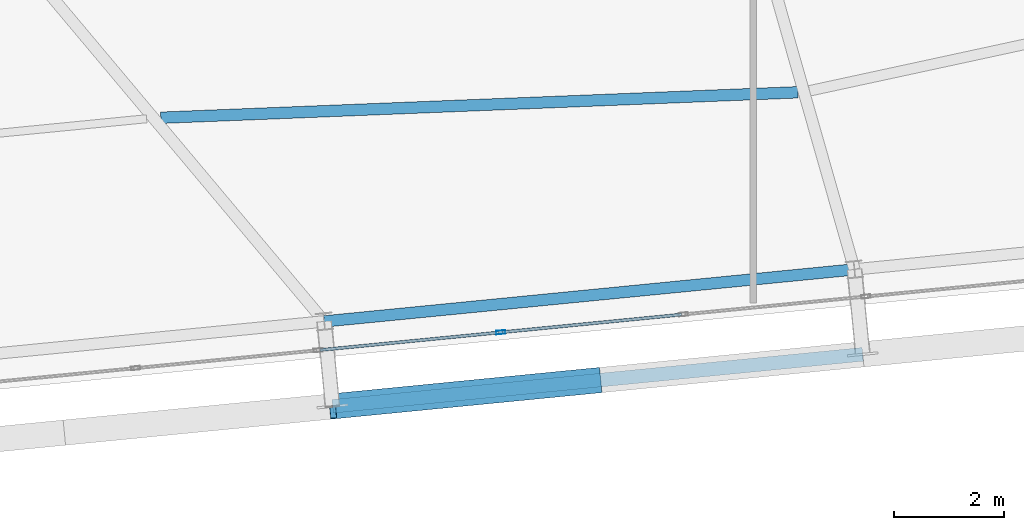
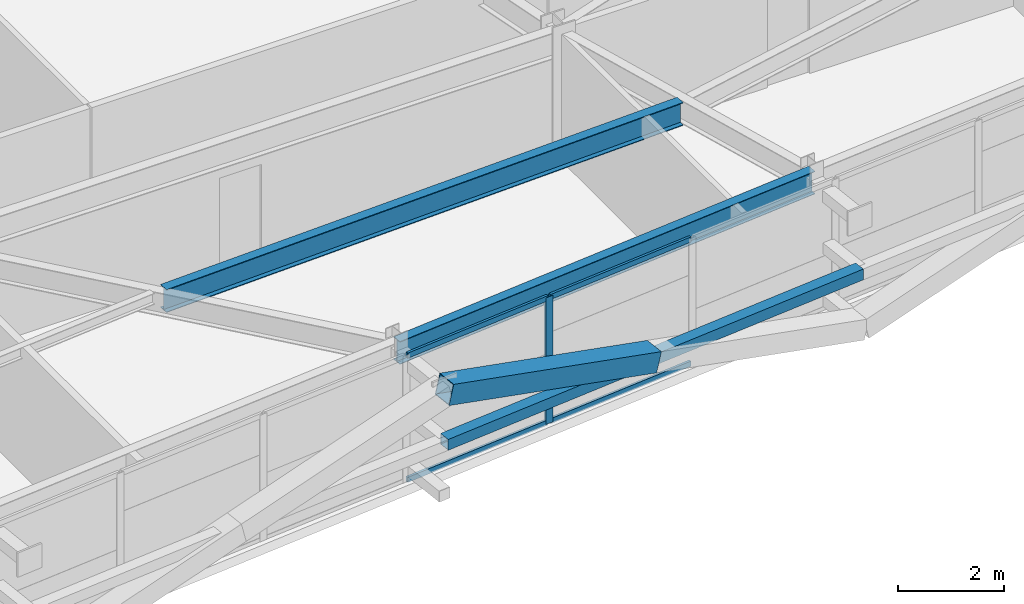
# One storey, part 11 of 53: 7 members, 2 beams, 1 element without a shape of its own.
"""IFC4 building model written with IfcOpenShell, lengths in metres."""

from ifc_helpers import new_model, si_unit, direction, frame, origin, origin_2d, place, context, subcontext, project, spatial, hollow_rectangle, i_section, extrude, source, transform, mapped, material, layer, layer_set, material_profile, profile_set, type_object, element, aggregate, save


model = new_model("IFC4")

# Units and contexts
model_context = context("Model", 3, precision=1e-05, world=origin(), true_north=direction((0.0, 1.0)))
body_context = subcontext(model_context, "Body", "Model", "MODEL_VIEW")
ifc_project = project(units=[si_unit("LENGTHUNIT", "METRE"), si_unit("AREAUNIT", "SQUARE_METRE"), si_unit("VOLUMEUNIT", "CUBIC_METRE"), si_unit("PLANEANGLEUNIT", "RADIAN"), si_unit("MASSUNIT", "GRAM", prefix="KILO")], contexts=[model_context])

# Site, building, storey
site_placement = place(None, origin())
site = spatial("IfcSite", under=ifc_project, at=site_placement, CompositionType="ELEMENT")
building_placement = place(site_placement, origin())
building = spatial("IfcBuilding", under=site, at=building_placement, Name="Taldren Reach Tower", CompositionType="ELEMENT")
storey_placement = place(building_placement, frame((0.0, 0.0, 84.0)))
storey = spatial("IfcBuildingStorey", under=building, at=storey_placement, Name="L25", CompositionType="ELEMENT", Elevation=84.0)

# Beams
ifc_material_1 = material(Name="Steel Gr 350 (350PLUS)", Category="steel")
ifc_material_profile_1 = material_profile(ifc_material_1, i_section(OverallWidth=0.208984375, OverallDepth=0.528076171875, WebThickness=0.009521484375, FlangeThickness=0.01318359375, at=origin_2d()), Name="530UB82.0")
ifc_profile_set_1 = profile_set([ifc_material_profile_1], Name="Steel Gr 350 (350PLUS)")
beam_type_1 = type_object("IfcBeamType", Name="SP-UB530B", PredefinedType="SPANDREL", material=ifc_profile_set_1)
shared_shape_1 = source(origin(), body_context, "Body", "SweptSolid", [
    extrude(i_section(OverallWidth=0.208984375, OverallDepth=0.528076171875, WebThickness=0.009521484375, FlangeThickness=0.01318359375, at=origin_2d()), origin(), (0.0, 0.0, 1.0), 9.679931640625),
])
beam_1_placement = place(storey_placement, frame((34.20166015625, 1.809326171875, 2.666015625), z_axis=(0.995227612658, 0.097580730699, 0.0), x_axis=(-0.097580730699, 0.995227612658, 0.0)))
element("IfcBeam", 1, at=beam_1_placement, inside=storey, type_object=beam_type_1, Name="Perimeter spandrel B2 S3-S4 L25", PredefinedType="SPANDREL", context=body_context, shape_type="MappedRepresentation", body=[
    mapped(shared_shape_1, transform((0.0, 0.0, 0.0), scale=1.0)),
])
ifc_material_profile_2 = material_profile(ifc_material_1, i_section(OverallWidth=0.208984375, OverallDepth=0.532958984375, WebThickness=0.01025390625, FlangeThickness=0.015625, at=origin_2d()), Name="530UB92.4")
ifc_profile_set_2 = profile_set([ifc_material_profile_2], Name="Steel Gr 350 (350PLUS)")
beam_type_2 = type_object("IfcBeamType", Name="BM-UB530A", PredefinedType="BEAM", material=ifc_profile_set_2)
shared_shape_2 = source(origin(), body_context, "Body", "SweptSolid", [
    extrude(i_section(OverallWidth=0.208984375, OverallDepth=0.532958984375, WebThickness=0.01025390625, FlangeThickness=0.015625, at=origin_2d()), origin(), (0.0, 0.0, 1.0), 11.586669921875),
])
beam_2_placement = place(storey_placement, frame((31.23291015625, 5.510009765625, 2.66357421875), z_axis=(0.999202506312, 0.039929329821, 0.0), x_axis=(-0.039929329821, 0.999202506312, 0.0)))
element("IfcBeam", 2, at=beam_2_placement, inside=storey, type_object=beam_type_2, Name="Secondary floor beam B2 J3 L25", PredefinedType="BEAM", context=body_context, shape_type="MappedRepresentation", body=[
    mapped(shared_shape_2, transform((0.0, 0.0, 0.0), scale=1.0)),
])

# Members
ifc_material_2 = material(Name="Steel Gr 450 (C450L0)", Category="steel")
ifc_material_profile_3 = material_profile(ifc_material_2, hollow_rectangle(XDim=0.4599609375, YDim=0.4599609375, WallThickness=0.01611328125, at=origin_2d()), Name="460x460x16.0SHS")
ifc_profile_set_3 = profile_set([ifc_material_profile_3], Name="Steel Gr 450 (C450L0)")
member_type_1 = type_object("IfcMemberType", Name="MB-EXO457", PredefinedType="BRACE", material=ifc_profile_set_3)
shared_shape_3 = source(origin(), body_context, "Body", "SweptSolid", [
    extrude(hollow_rectangle(XDim=0.4599609375, YDim=0.4599609375, WallThickness=0.01611328125, at=origin_2d()), origin(), (0.0, 0.0, 1.0), 4.990234375),
])
member_1_placement = place(storey_placement, frame((39.169921875, 0.739013671875, 1.43505859375), z_axis=(-0.965282554799, -0.094669120301, 0.243448859234), x_axis=(0.097605711627, -0.995225162995, 0.0)))
element("IfcMember", 3, at=member_1_placement, inside=storey, type_object=member_type_1, Name="Exoskeleton Diagrid Brace B2-S3 L25", PredefinedType="BRACE", context=body_context, shape_type="MappedRepresentation", body=[
    mapped(shared_shape_3, transform((0.0, 0.0, 0.0), scale=1.0)),
])
ifc_material_3 = material(Name="Steel Gr 350 (C350L0)", Category="steel")
ifc_material_profile_4 = material_profile(ifc_material_3, hollow_rectangle(XDim=0.25, YDim=0.25, WallThickness=0.010009765625, at=origin_2d()), Name="250x250x10.0SHS")
ifc_profile_set_4 = profile_set([ifc_material_profile_4], Name="Steel Gr 350 (C350L0)")
member_type_2 = type_object("IfcMemberType", Name="MB-POST250", PredefinedType="POST", material=ifc_profile_set_4)
shared_shape_4 = source(origin(), body_context, "Body", "SweptSolid", [
    extrude(hollow_rectangle(XDim=0.25, YDim=0.25, WallThickness=0.010009765625, at=origin_2d()), origin(), (0.0, 0.0, 1.0), 9.679931640625),
])
member_2_placement = place(storey_placement, frame((34.35302734375, 0.2666015625, 1.43505859375), z_axis=(0.995225162995, 0.097605711627, 0.0), x_axis=(-0.097605711627, 0.995225162995, 0.0)))
element("IfcMember", 4, at=member_2_placement, inside=storey, type_object=member_type_2, Name="Exoskeleton mid-height ring chord B2-S3 L25", PredefinedType="POST", context=body_context, shape_type="MappedRepresentation", body=[
    mapped(shared_shape_4, transform((0.0, 0.0, 0.0), scale=1.0)),
])

# Curtain wall, members
ifc_material_4 = material(Name="Aluminium and Low-E Glass Unitised System", Category="aluminium")
ifc_layer = layer(ifc_material_4, 0.159912109375)
ifc_layer_set = layer_set([ifc_layer], Name="Aluminium and Low-E Glass Unitised System")
curtain_wall_type = type_object("IfcCurtainWallType", Name="CW-SYS-3", PredefinedType="NOTDEFINED", material=ifc_layer_set)
curtain_wall_placement = place(storey_placement, origin())
curtain_wall = element("IfcCurtainWall", 5, at=curtain_wall_placement, inside=storey, type_object=curtain_wall_type, Name="Unitised curtain wall CW-L25-S", PredefinedType="NOTDEFINED")
ifc_material_5 = material(Name="Anodised Aluminium 6063-T6", Category="aluminium")
ifc_material_profile_5 = material_profile(ifc_material_5, hollow_rectangle(XDim=0.06494140625, YDim=0.1650390625, WallThickness=0.00390625, at=origin_2d()), Name="ALU-165x65x4RHS")
ifc_profile_set_5 = profile_set([ifc_material_profile_5], Name="Anodised Aluminium 6063-T6")
member_type_3 = type_object("IfcMemberType", Name="CW-MUL-165", PredefinedType="MULLION", material=ifc_profile_set_5)
shared_shape_5 = source(origin(), body_context, "Body", "SweptSolid", [
    extrude(hollow_rectangle(XDim=0.06494140625, YDim=0.1650390625, WallThickness=0.00390625, at=origin_2d()), origin(), (0.0, 0.0, 1.0), 2.929931640625),
])
member_3_placement = place(storey_placement, frame((37.40966796875, 1.611328125, 0.0), z_axis=(0.0, 0.0, 1.0), x_axis=(-0.097582999046, 0.995227390247, 0.0)))
member_3 = element("IfcMember", 6, at=member_3_placement, type_object=member_type_3, Name="CW-3 mullion 8", PredefinedType="MULLION", context=body_context, shape_type="MappedRepresentation", body=[
    mapped(shared_shape_5, transform((0.0, 0.0, 0.0), scale=1.0)),
])
ifc_material_profile_6 = material_profile(ifc_material_5, hollow_rectangle(XDim=0.054931640625, YDim=0.1201171875, WallThickness=0.0029296875, at=origin_2d()), Name="ALU-120x55x3RHS")
ifc_profile_set_6 = profile_set([ifc_material_profile_6], Name="Anodised Aluminium 6063-T6")
member_type_4 = type_object("IfcMemberType", Name="CW-TRN-135", PredefinedType="USERDEFINED", material=ifc_profile_set_6)
shared_shape_6 = source(origin(), body_context, "Body", "SweptSolid", [
    extrude(hollow_rectangle(XDim=0.054931640625, YDim=0.1201171875, WallThickness=0.0029296875, at=origin_2d()), origin(), (0.0, 0.0, 1.0), 3.268310546875),
])
member_4_placement = place(storey_placement, frame((34.124755859375, 1.289306640625, 0.027587890625), z_axis=(0.99522980512, 0.097558367146, 0.0), x_axis=(-0.097558367146, 0.99522980512, 0.0)))
member_4 = element("IfcMember", 7, at=member_4_placement, type_object=member_type_4, Name="CW-3 transom 7.1", ObjectType="TRANSOM", PredefinedType="USERDEFINED", context=body_context, shape_type="MappedRepresentation", body=[
    mapped(shared_shape_6, transform((0.0, 0.0, 0.0), scale=1.0)),
])
member_5_placement = place(storey_placement, frame((34.124755859375, 1.289306640625, 2.902587890625), z_axis=(0.99522980512, 0.097558367146, 0.0), x_axis=(-0.097558367146, 0.99522980512, 0.0)))
member_5 = element("IfcMember", 8, at=member_5_placement, type_object=member_type_4, Name="CW-3 transom 7.2", ObjectType="TRANSOM", PredefinedType="USERDEFINED", context=body_context, shape_type="MappedRepresentation", body=[
    mapped(shared_shape_6, transform((0.0, 0.0, 0.0), scale=1.0)),
])
member_6_placement = place(storey_placement, frame((37.442138671875, 1.614501953125, 0.027587890625), z_axis=(0.995222549564, 0.097632355496, 0.0), x_axis=(-0.097632355496, 0.995222549564, 0.0)))
member_6 = element("IfcMember", 9, at=member_6_placement, type_object=member_type_4, Name="CW-3 transom 8.1", ObjectType="TRANSOM", PredefinedType="USERDEFINED", context=body_context, shape_type="MappedRepresentation", body=[
    mapped(shared_shape_6, transform((0.0, 0.0, 0.0), scale=1.0)),
])
member_7_placement = place(storey_placement, frame((37.442138671875, 1.614501953125, 2.902587890625), z_axis=(0.995222549564, 0.097632355496, 0.0), x_axis=(-0.097632355496, 0.995222549564, 0.0)))
member_7 = element("IfcMember", 10, at=member_7_placement, type_object=member_type_4, Name="CW-3 transom 8.2", ObjectType="TRANSOM", PredefinedType="USERDEFINED", context=body_context, shape_type="MappedRepresentation", body=[
    mapped(shared_shape_6, transform((0.0, 0.0, 0.0), scale=1.0)),
])
aggregate(curtain_wall, [member_3, member_4, member_5, member_6, member_7])

save(model, "model.ifc")
